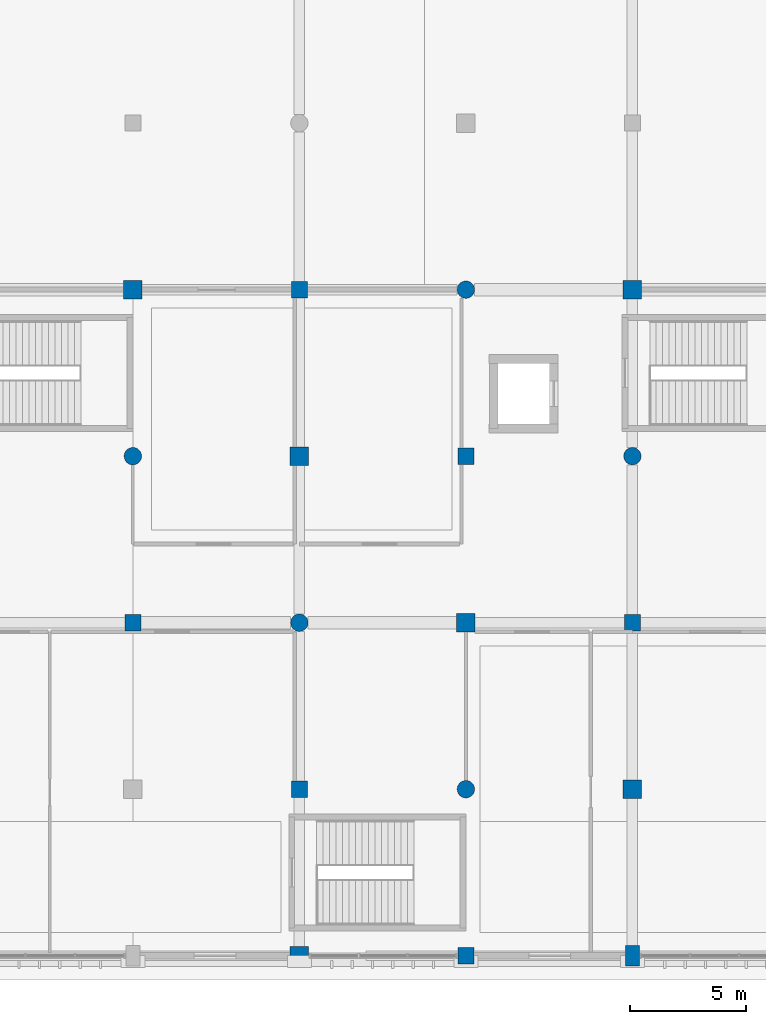
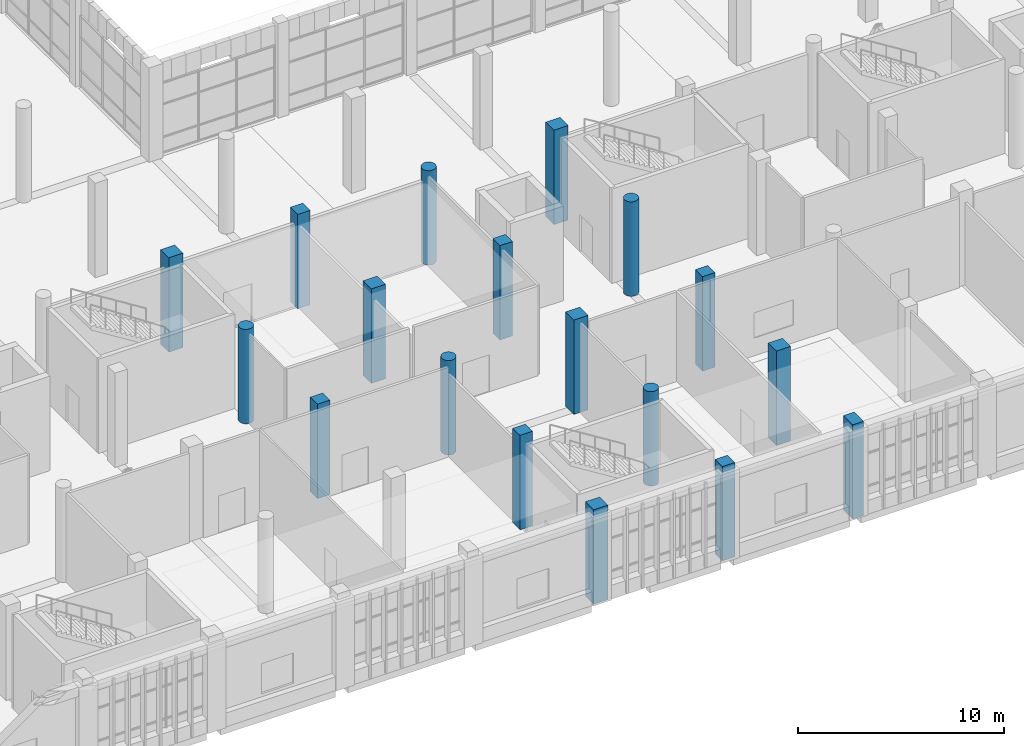
# One storey, part 2 of 80: 18 columns.
"""IFC4 building model written with IfcOpenShell, lengths in metres."""

import ifcopenshell
import ifcopenshell.guid

model = None  # the IFC model being written
_history = None  # IfcOwnerHistory: only IFC2X3 demands one
_inside = {}  # id of a spatial element -> (the spatial element, [elements in it])
_under = {}  # id of a project, library or spatial element -> (it, [spatial elements below it])
_declared = {}  # id of a project -> (the project, [libraries it declares])
_typed = {}  # id of a type object -> (the type object, [elements of that type])
_made_of = {}  # id of a material, layer set ... -> (it, [elements and type objects made of it])


def new_model(schema):
    """Start an empty IFC model of exactly this schema.

    Asked for "IFC4X3", IfcOpenShell would pick the latest addendum, in which some entities
    have other attributes; the version numbers below select the first issue.
    IFC2X3 requires an IfcOwnerHistory on every rooted entity: one is made here for all.
    """
    global model, _history
    if schema == "IFC4X3":
        model = ifcopenshell.file(schema_version=(4, 3, 0, 0))
    else:
        model = ifcopenshell.file(schema=schema)
    _inside.clear()
    _under.clear()
    _declared.clear()
    _typed.clear()
    _made_of.clear()
    _history = None
    if model.schema == "IFC2X3":
        org = make("IfcOrganization", Name="unknown")
        user = make(
            "IfcPersonAndOrganization",
            ThePerson=make("IfcPerson", FamilyName="unknown"),
            TheOrganization=org,
        )
        app = make(
            "IfcApplication",
            ApplicationDeveloper=org,
            Version="unknown",
            ApplicationFullName="unknown",
            ApplicationIdentifier="unknown",
        )
        _history = make(
            "IfcOwnerHistory",
            OwningUser=user,
            OwningApplication=app,
            ChangeAction="ADDED",
            CreationDate=0,
        )
    return model


def make(cls, **values):
    """One entity of the class cls with the attributes given. An attribute that is None is left unset."""
    return model.create_entity(
        cls, **{name: value for name, value in values.items() if value is not None}
    )


def rooted(cls, **values):
    """An entity with a GlobalId (a new one), such as an element, a storey or a relation."""
    return make(cls, GlobalId=ifcopenshell.guid.new(), OwnerHistory=_history, **values)


def si_unit(unit_type, name, prefix=None):
    """IfcSIUnit, for example si_unit("LENGTHUNIT", "METRE", prefix="MILLI")."""
    return make("IfcSIUnit", UnitType=unit_type, Prefix=prefix, Name=name)


def assignment(units):
    """IfcUnitAssignment: the units of a project."""
    return None if units is None else make("IfcUnitAssignment", Units=units)


def point(xyz):
    """IfcCartesianPoint."""
    return None if xyz is None else make("IfcCartesianPoint", Coordinates=xyz)


def direction(xyz):
    """IfcDirection."""
    return None if xyz is None else make("IfcDirection", DirectionRatios=xyz)


def frame(location, z_axis=None, x_axis=None):
    """IfcAxis2Placement3D, a coordinate frame: its origin and axes. An axis left out is left unset."""
    return make(
        "IfcAxis2Placement3D",
        Location=point(location),
        Axis=direction(z_axis),
        RefDirection=direction(x_axis),
    )


def frame_2d(location, x_axis=None):
    """IfcAxis2Placement2D, a coordinate frame in the plane: its origin and x axis."""
    return make(
        "IfcAxis2Placement2D", Location=point(location), RefDirection=direction(x_axis)
    )


def origin():
    """The frame at (0, 0, 0) with its axes left unset."""
    return frame((0.0, 0.0, 0.0))


def origin_2d():
    """The frame at (0, 0) in the plane with its x axis left unset."""
    return frame_2d((0.0, 0.0))


def place(relative_to, where):
    """IfcLocalPlacement: puts the frame where relative to a parent placement (None: the world)."""
    return make(
        "IfcLocalPlacement", PlacementRelTo=relative_to, RelativePlacement=where
    )


def context(
    kind, dimensions, precision=None, world=None, true_north=None, identifier=None
):
    """IfcGeometricRepresentationContext, for example the 3D "Model" context."""
    return make(
        "IfcGeometricRepresentationContext",
        ContextIdentifier=identifier,
        ContextType=kind,
        CoordinateSpaceDimension=dimensions,
        Precision=precision,
        WorldCoordinateSystem=world,
        TrueNorth=true_north,
    )


def subcontext(parent, identifier, kind, view, scale=None):
    """IfcGeometricRepresentationSubContext, for example "Body" below "Model"."""
    return make(
        "IfcGeometricRepresentationSubContext",
        ContextIdentifier=identifier,
        ContextType=kind,
        ParentContext=parent,
        TargetScale=scale,
        TargetView=view,
    )


def project(units=None, contexts=None):
    """IfcProject with its units and contexts."""
    return rooted(
        "IfcProject",
        Name="project",
        RepresentationContexts=contexts,
        UnitsInContext=assignment(units),
    )


def spatial(cls, under=None, at=None, **own):
    """A site, building, storey or space (cls), placed at a placement, below another one or the project."""
    s = rooted(cls, ObjectPlacement=at, **own)
    if under is not None:
        _under.setdefault(under.id(), (under, []))[1].append(s)
    return s


def profile(cls, at=None, kind="AREA", **sizes):
    """A parametric profile (cls). Its sizes go by their IFC names, for example OverallWidth=200.0."""
    return make(cls, ProfileType=kind, Position=at, **sizes)


def rectangle(**sizes):
    """IfcRectangleProfileDef."""
    return profile("IfcRectangleProfileDef", **sizes)


def circle(**sizes):
    """IfcCircleProfileDef."""
    return profile("IfcCircleProfileDef", **sizes)


def extrude(swept, where, along, depth):
    """IfcExtrudedAreaSolid: the profile swept, set in the frame where, extruded along a direction by depth."""
    return make(
        "IfcExtrudedAreaSolid",
        SweptArea=swept,
        Position=where,
        ExtrudedDirection=direction(along),
        Depth=depth,
    )


def shape(context_of_items, identifier, shape_type, items):
    """IfcShapeRepresentation: the items that make up one representation, for example the "Body"."""
    return make(
        "IfcShapeRepresentation",
        ContextOfItems=context_of_items,
        RepresentationIdentifier=identifier,
        RepresentationType=shape_type,
        Items=items,
    )


def material(Name=None, Category=None):
    """IfcMaterial."""
    return make("IfcMaterial", Name=Name, Category=Category)


def material_profile(
    of_material, cross_section, Name=None, Category=None, Priority=None
):
    """IfcMaterialProfile: a cross section and its material."""
    return make(
        "IfcMaterialProfile",
        Name=Name,
        Material=of_material,
        Profile=cross_section,
        Priority=Priority,
        Category=Category,
    )


def profile_set(profiles, Name=None, composite=None):
    """IfcMaterialProfileSet."""
    return make(
        "IfcMaterialProfileSet",
        Name=Name,
        MaterialProfiles=profiles,
        CompositeProfile=composite,
    )


def made_of(thing, what):
    """Note that an element or type object is made of a material, layer set ...; save() writes the relation."""
    if what is not None:
        _made_of.setdefault(what.id(), (what, []))[1].append(thing)
    return thing


def type_object(cls, material=None, **own):
    """A type object (cls), such as IfcWallType, which elements share."""
    return made_of(rooted(cls, **own), material)


def element(
    cls,
    number,
    at=None,
    inside=None,
    cuts=None,
    type_object=None,
    material=None,
    context=None,
    identifier="Body",
    shape_type=None,
    held_by="IfcProductDefinitionShape",
    body=None,
    shapes=None,
    **own,
):
    """One element of the class cls, such as IfcWall. Its Tag is "e" and its number.

    at: its placement. inside: the storey or other place that contains it. cuts: it is an
    opening in that element (IfcRelVoidsElement). A single representation is given by context,
    identifier, shape_type and body (its items); several are given by shapes. held_by: the class
    of the entity that holds the representations. save() writes the other relations.
    """
    e = rooted(cls, Tag="e%d" % number, ObjectPlacement=at, **own)
    if body is not None:
        shapes = [shape(context, identifier, shape_type, body)]
    if shapes is not None:
        e.Representation = make(held_by, Representations=shapes)
    if inside is not None:
        _inside.setdefault(inside.id(), (inside, []))[1].append(e)
    if cuts is not None:
        rooted(
            "IfcRelVoidsElement", RelatingBuildingElement=cuts, RelatedOpeningElement=e
        )
    if type_object is not None:
        _typed.setdefault(type_object.id(), (type_object, []))[1].append(e)
    return made_of(e, material)


def aggregate(whole, parts):
    """IfcRelAggregates: a whole, such as a stair, and the parts it consists of."""
    return rooted("IfcRelAggregates", RelatingObject=whole, RelatedObjects=parts)


def save(model, path):
    """Write the relations noted so far, then the file.

    IfcRelAggregates (storeys below a building ...), IfcRelContainedInSpatialStructure (elements
    in a storey), IfcRelDefinesByType, IfcRelAssociatesMaterial and IfcRelDeclares: one each for
    every whole, place, type object, material and project.
    """
    for whole, parts in _under.values():
        aggregate(whole, parts)
    for where, things in _inside.values():
        rooted(
            "IfcRelContainedInSpatialStructure",
            RelatedElements=things,
            RelatingStructure=where,
        )
    for kind, things in _typed.values():
        rooted("IfcRelDefinesByType", RelatedObjects=things, RelatingType=kind)
    for what, things in _made_of.values():
        rooted("IfcRelAssociatesMaterial", RelatedObjects=things, RelatingMaterial=what)
    for by, libraries in _declared.values():
        rooted("IfcRelDeclares", RelatingContext=by, RelatedDefinitions=libraries)
    model.write(path)


model = new_model("IFC4")

# Units and contexts
model_context = context("Model", 3, precision=1e-05, world=origin(), true_north=direction((0.0, 1.0)))
body_context = subcontext(model_context, "Body", "Model", "MODEL_VIEW")
ifc_project = project(units=[si_unit("LENGTHUNIT", "METRE"), si_unit("AREAUNIT", "SQUARE_METRE"), si_unit("VOLUMEUNIT", "CUBIC_METRE"), si_unit("PLANEANGLEUNIT", "RADIAN"), si_unit("MASSUNIT", "GRAM", prefix="KILO")], contexts=[model_context])

# Site, building, storey
site_placement = place(None, origin())
site = spatial("IfcSite", under=ifc_project, at=site_placement, CompositionType="ELEMENT")
building_placement = place(site_placement, origin())
building = spatial("IfcBuilding", under=site, at=building_placement, Name="Sardonyx Promenade Sports Hall", CompositionType="ELEMENT")
storey_placement = place(building_placement, frame((0.0, 0.0, 5.60009765625)))
storey = spatial("IfcBuildingStorey", under=building, at=storey_placement, Name="L01", CompositionType="ELEMENT", Elevation=5.60009765625)

# Columns
ifc_material_1 = material(Name="Concrete C40/50", Category="concrete")
ifc_material_profile_1 = material_profile(ifc_material_1, rectangle(XDim=0.60009765625, YDim=0.89990234375, at=origin_2d()))
ifc_profile_set_1 = profile_set([ifc_material_profile_1], Name="Concrete C40/50")
column_type_1 = type_object("IfcColumnType", Name="Col_Ext_RC600x900", PredefinedType="COLUMN", material=ifc_profile_set_1)
column_1_placement = place(storey_placement, frame((57.60009765625, 0.0, 0.0), z_axis=(0.0, 0.0, 1.0), x_axis=(1.0, 0.0, 0.0)))
element("IfcColumn", 1, at=column_1_placement, inside=storey, type_object=column_type_1, Name="Column CE12 L01 (57.6,0.0)", PredefinedType="COLUMN", context=body_context, shape_type="SweptSolid", body=[
    extrude(rectangle(XDim=0.60009765625, YDim=0.89990234375, at=origin_2d()), origin(), (0.0, 0.0, 1.0), 5.599853515625),
])
ifc_material_2 = material(Name="Concrete C40/50", Category="concrete")
ifc_material_profile_2 = material_profile(ifc_material_2, rectangle(XDim=0.699951171875, YDim=0.699951171875, at=origin_2d()))
ifc_profile_set_2 = profile_set([ifc_material_profile_2], Name="Concrete C40/50")
column_type_2 = type_object("IfcColumnType", Name="Col_Ext_RC700", PredefinedType="COLUMN", material=ifc_profile_set_2)
column_2_placement = place(storey_placement, frame((50.39990234375, 0.0, 0.0), z_axis=(0.0, 0.0, 1.0), x_axis=(1.0, 0.0, 0.0)))
element("IfcColumn", 2, at=column_2_placement, inside=storey, type_object=column_type_2, Name="Column CE05 L01 (50.4,0.0)", PredefinedType="COLUMN", context=body_context, shape_type="SweptSolid", body=[
    extrude(rectangle(XDim=0.699951171875, YDim=0.699951171875, at=origin_2d()), origin(), (0.0, 0.0, 1.0), 5.599853515625),
])
ifc_material_3 = material(Name="Concrete C50/60", Category="concrete")
ifc_material_profile_3 = material_profile(ifc_material_3, rectangle(XDim=0.800048828125, YDim=0.800048828125, at=origin_2d()))
ifc_profile_set_3 = profile_set([ifc_material_profile_3], Name="Concrete C50/60")
column_type_3 = type_object("IfcColumnType", Name="Col_Ext_RC800", PredefinedType="COLUMN", material=ifc_profile_set_3)
column_3_placement = place(storey_placement, frame((43.199951171875, 0.0, 0.0), z_axis=(0.0, 0.0, 1.0), x_axis=(1.0, 0.0, 0.0)))
element("IfcColumn", 3, at=column_3_placement, inside=storey, type_object=column_type_3, Name="Column CE13 L01 (43.2,0.0)", PredefinedType="COLUMN", context=body_context, shape_type="SweptSolid", body=[
    extrude(rectangle(XDim=0.800048828125, YDim=0.800048828125, at=origin_2d()), origin(), (0.0, 0.0, 1.0), 5.599853515625),
])
ifc_material_4 = material(Name="Concrete C50/60", Category="concrete")
ifc_material_profile_4 = material_profile(ifc_material_4, rectangle(XDim=0.699951171875, YDim=0.699951171875, at=origin_2d()))
ifc_profile_set_4 = profile_set([ifc_material_profile_4], Name="Concrete C50/60")
column_type_4 = type_object("IfcColumnType", Name="Col_Int_RC700", PredefinedType="COLUMN", material=ifc_profile_set_4)
for number, where, z_axis, x_axis, name in (
    (4, (36.0, 14.39990234375, 0.0), (0.0, 0.0, 1.0), (1.0, 0.0, 0.0), "Column CI03 L01 (36.0,14.4)"),
    (5, (43.199951171875, 7.199951171875, 0.0), (0.0, 0.0, 1.0), (1.0, 0.0, 0.0), "Column CI03 L01 (43.2,7.2)"),
    (6, (43.199951171875, 28.800048828125, 0.0), (0.0, 0.0, 1.0), (1.0, 0.0, 0.0), "Column CI03 L01 (43.2,28.8)"),
    (7, (50.39990234375, 21.60009765625, 0.0), (0.0, 0.0, 1.0), (1.0, 0.0, 0.0), "Column CI03 L01 (50.4,21.6)"),
    (8, (57.60009765625, 14.39990234375, 0.0), (0.0, 0.0, 1.0), (1.0, 0.0, 0.0), "Column CI03 L01 (57.6,14.4)"),
):
    element("IfcColumn", number, at=place(storey_placement, frame(where, z_axis=z_axis, x_axis=x_axis)), inside=storey, type_object=column_type_4, Name=name, PredefinedType="COLUMN", context=body_context, shape_type="SweptSolid", body=[
        extrude(rectangle(XDim=0.699951171875, YDim=0.699951171875, at=origin_2d()), origin(), (0.0, 0.0, 1.0), 5.599853515625),
    ])
ifc_material_5 = material(Name="Concrete C50/60", Category="concrete")
ifc_material_profile_5 = material_profile(ifc_material_5, rectangle(XDim=0.800048828125, YDim=0.800048828125, at=origin_2d()))
ifc_profile_set_5 = profile_set([ifc_material_profile_5], Name="Concrete C50/60")
column_type_5 = type_object("IfcColumnType", Name="Col_Int_RC800", PredefinedType="COLUMN", material=ifc_profile_set_5)
for number, where, z_axis, x_axis, name in (
    (9, (36.0, 28.800048828125, 0.0), (0.0, 0.0, 1.0), (1.0, 0.0, 0.0), "Column CI01 L01 (36.0,28.8)"),
    (10, (43.199951171875, 21.60009765625, 0.0), (0.0, 0.0, 1.0), (1.0, 0.0, 0.0), "Column CI01 L01 (43.2,21.6)"),
    (11, (50.39990234375, 14.39990234375, 0.0), (0.0, 0.0, 1.0), (1.0, 0.0, 0.0), "Column CI01 L01 (50.4,14.4)"),
    (12, (57.60009765625, 7.199951171875, 0.0), (0.0, 0.0, 1.0), (1.0, 0.0, 0.0), "Column CI01 L01 (57.6,7.2)"),
    (13, (57.60009765625, 28.800048828125, 0.0), (0.0, 0.0, 1.0), (1.0, 0.0, 0.0), "Column CI01 L01 (57.6,28.8)"),
):
    element("IfcColumn", number, at=place(storey_placement, frame(where, z_axis=z_axis, x_axis=x_axis)), inside=storey, type_object=column_type_5, Name=name, PredefinedType="COLUMN", context=body_context, shape_type="SweptSolid", body=[
        extrude(rectangle(XDim=0.800048828125, YDim=0.800048828125, at=origin_2d()), origin(), (0.0, 0.0, 1.0), 5.599853515625),
    ])
ifc_material_6 = material(Name="Concrete C50/60", Category="concrete")
ifc_material_profile_6 = material_profile(ifc_material_6, circle(Radius=0.375, at=origin_2d()))
ifc_profile_set_6 = profile_set([ifc_material_profile_6], Name="Concrete C50/60")
column_type_6 = type_object("IfcColumnType", Name="Col_Int_RCD750", PredefinedType="COLUMN", material=ifc_profile_set_6)
for number, where, z_axis, x_axis, name in (
    (14, (36.0, 21.60009765625, 0.0), (0.0, 0.0, 1.0), (1.0, 0.0, 0.0), "Column CI07 L01 (36.0,21.6)"),
    (15, (43.199951171875, 14.39990234375, 0.0), (0.0, 0.0, 1.0), (1.0, 0.0, 0.0), "Column CI07 L01 (43.2,14.4)"),
    (16, (50.39990234375, 7.199951171875, 0.0), (0.0, 0.0, 1.0), (1.0, 0.0, 0.0), "Column CI07 L01 (50.4,7.2)"),
    (17, (50.39990234375, 28.800048828125, 0.0), (0.0, 0.0, 1.0), (1.0, 0.0, 0.0), "Column CI07 L01 (50.4,28.8)"),
    (18, (57.60009765625, 21.60009765625, 0.0), (0.0, 0.0, 1.0), (1.0, 0.0, 0.0), "Column CI07 L01 (57.6,21.6)"),
):
    element("IfcColumn", number, at=place(storey_placement, frame(where, z_axis=z_axis, x_axis=x_axis)), inside=storey, type_object=column_type_6, Name=name, PredefinedType="COLUMN", context=body_context, shape_type="SweptSolid", body=[
        extrude(circle(Radius=0.375, at=origin_2d()), origin(), (0.0, 0.0, 1.0), 5.599853515625),
    ])

save(model, "model.ifc")
